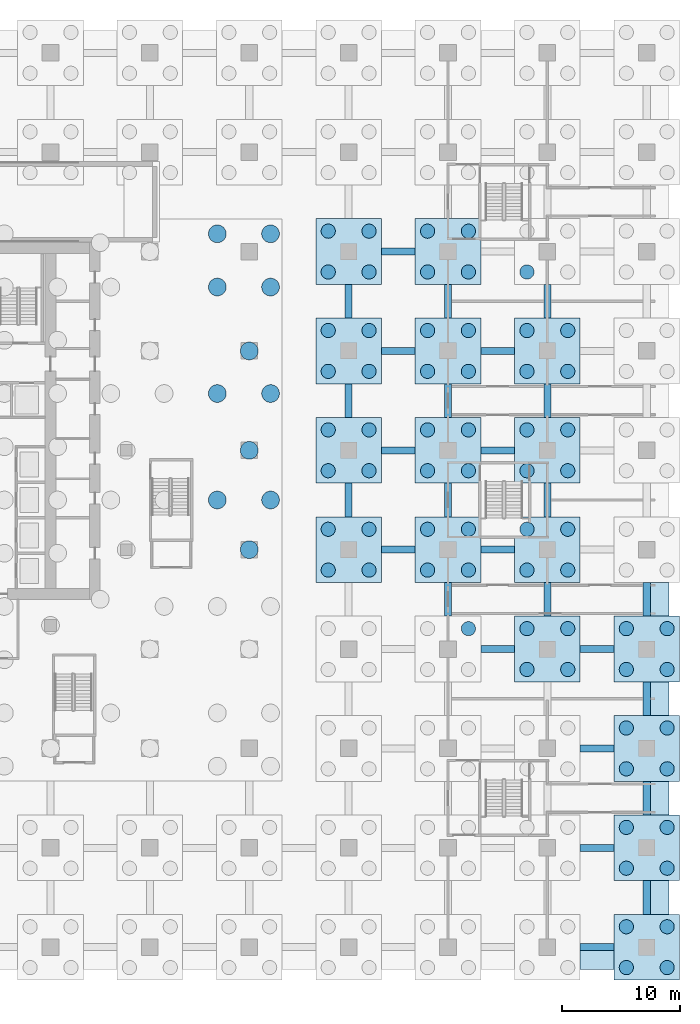
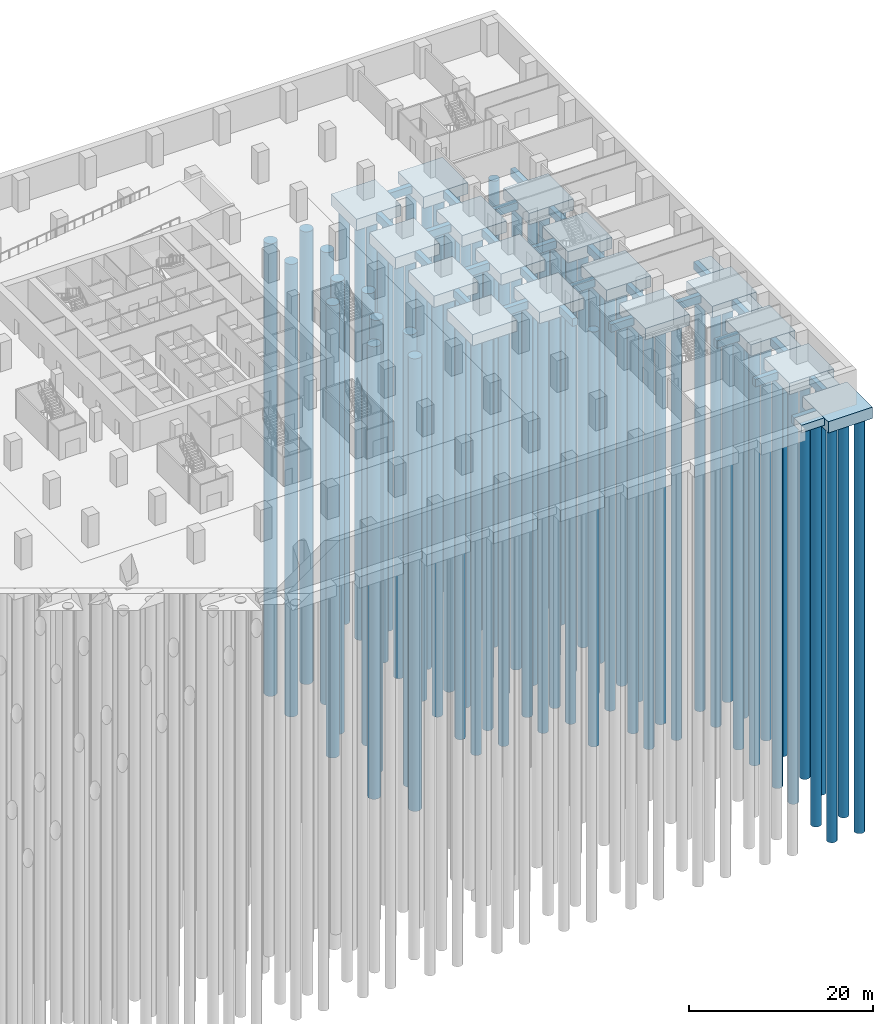
# One storey, part 4 of 22: 77 piles, 48 footings.
"""IFC4 building model written with IfcOpenShell, lengths in metres."""

from ifc_helpers import new_model, si_unit, direction, frame, origin, origin_2d, place, context, subcontext, project, spatial, polyline, circle, outline, extrude, material, layer, layer_set, type_object, element, save


model = new_model("IFC4")

# Units and contexts
model_context = context("Model", 3, precision=1e-05, world=origin(), true_north=direction((0.0, 1.0)))
body_context = subcontext(model_context, "Body", "Model", "MODEL_VIEW")
ifc_project = project(units=[si_unit("LENGTHUNIT", "METRE"), si_unit("AREAUNIT", "SQUARE_METRE"), si_unit("VOLUMEUNIT", "CUBIC_METRE"), si_unit("PLANEANGLEUNIT", "RADIAN"), si_unit("MASSUNIT", "GRAM", prefix="KILO")], contexts=[model_context])

# Site, building, storey
site_placement = place(None, origin())
site = spatial("IfcSite", under=ifc_project, at=site_placement, CompositionType="ELEMENT")
building_placement = place(site_placement, origin())
building = spatial("IfcBuilding", under=site, at=building_placement, Name="Vermilion Ogive Tower", CompositionType="ELEMENT")
storey_placement = place(building_placement, frame((0.0, 0.0, -8.39990234375)))
storey = spatial("IfcBuildingStorey", under=building, at=storey_placement, Name="B2", CompositionType="ELEMENT", Elevation=-8.39990234375)

# Piles
ifc_material_1 = material(Name="Concrete B45", Category="concrete")
pile_type_1 = type_object("IfcPileType", Name="Bored pile PC1 D1200", PredefinedType="BORED", material=ifc_material_1)
for number, where, z_axis, x_axis, name in (
    (1, (31.875, -5.925048828125, -1.900146484375), (0.0, 0.0, -1.0), (1.0, 0.0, 0.0), "Cap pile 052-1"),
    (2, (35.324951171875, -5.925048828125, -1.900146484375), (0.0, 0.0, -1.0), (1.0, 0.0, 0.0), "Cap pile 052-2"),
    (3, (31.875, -2.47509765625, -1.900146484375), (0.0, 0.0, -1.0), (1.0, 0.0, 0.0), "Cap pile 052-3"),
    (4, (35.324951171875, -2.47509765625, -1.900146484375), (0.0, 0.0, -1.0), (1.0, 0.0, 0.0), "Cap pile 052-4"),
    (5, (31.875, 2.47509765625, -1.900146484375), (0.0, 0.0, -1.0), (1.0, 0.0, 0.0), "Cap pile 053-1"),
    (6, (35.324951171875, 2.47509765625, -1.900146484375), (0.0, 0.0, -1.0), (1.0, 0.0, 0.0), "Cap pile 053-2"),
    (7, (31.875, 5.925048828125, -1.900146484375), (0.0, 0.0, -1.0), (1.0, 0.0, 0.0), "Cap pile 053-3"),
    (8, (35.324951171875, 5.925048828125, -1.900146484375), (0.0, 0.0, -1.0), (1.0, 0.0, 0.0), "Cap pile 053-4"),
    (9, (31.875, 10.875, -1.900146484375), (0.0, 0.0, -1.0), (1.0, 0.0, 0.0), "Cap pile 054-1"),
    (10, (35.324951171875, 10.875, -1.900146484375), (0.0, 0.0, -1.0), (1.0, 0.0, 0.0), "Cap pile 054-2"),
    (11, (31.875, 14.324951171875, -1.900146484375), (0.0, 0.0, -1.0), (1.0, 0.0, 0.0), "Cap pile 054-3"),
    (12, (35.324951171875, 14.324951171875, -1.900146484375), (0.0, 0.0, -1.0), (1.0, 0.0, 0.0), "Cap pile 054-4"),
    (13, (31.875, 19.27490234375, -1.900146484375), (0.0, 0.0, -1.0), (1.0, 0.0, 0.0), "Cap pile 055-1"),
    (14, (35.324951171875, 19.27490234375, -1.900146484375), (0.0, 0.0, -1.0), (1.0, 0.0, 0.0), "Cap pile 055-2"),
    (15, (31.875, 22.72509765625, -1.900146484375), (0.0, 0.0, -1.0), (1.0, 0.0, 0.0), "Cap pile 055-3"),
    (16, (35.324951171875, 22.72509765625, -1.900146484375), (0.0, 0.0, -1.0), (1.0, 0.0, 0.0), "Cap pile 055-4"),
    (17, (43.72509765625, -10.875, -1.900146484375), (0.0, 0.0, -1.0), (1.0, 0.0, 0.0), "Cap pile 061-4"),
    (18, (40.27490234375, -5.925048828125, -1.900146484375), (0.0, 0.0, -1.0), (1.0, 0.0, 0.0), "Cap pile 062-1"),
    (19, (43.72509765625, -5.925048828125, -1.900146484375), (0.0, 0.0, -1.0), (1.0, 0.0, 0.0), "Cap pile 062-2"),
    (20, (40.27490234375, -2.47509765625, -1.900146484375), (0.0, 0.0, -1.0), (1.0, 0.0, 0.0), "Cap pile 062-3"),
    (21, (43.72509765625, -2.47509765625, -1.900146484375), (0.0, 0.0, -1.0), (1.0, 0.0, 0.0), "Cap pile 062-4"),
    (22, (40.27490234375, 2.47509765625, -1.900146484375), (0.0, 0.0, -1.0), (1.0, 0.0, 0.0), "Cap pile 063-1"),
    (23, (43.72509765625, 2.47509765625, -1.900146484375), (0.0, 0.0, -1.0), (1.0, 0.0, 0.0), "Cap pile 063-2"),
    (24, (40.27490234375, 5.925048828125, -1.900146484375), (0.0, 0.0, -1.0), (1.0, 0.0, 0.0), "Cap pile 063-3"),
    (25, (43.72509765625, 5.925048828125, -1.900146484375), (0.0, 0.0, -1.0), (1.0, 0.0, 0.0), "Cap pile 063-4"),
    (26, (40.27490234375, 10.875, -1.900146484375), (0.0, 0.0, -1.0), (1.0, 0.0, 0.0), "Cap pile 064-1"),
    (27, (43.72509765625, 10.875, -1.900146484375), (0.0, 0.0, -1.0), (1.0, 0.0, 0.0), "Cap pile 064-2"),
    (28, (40.27490234375, 14.324951171875, -1.900146484375), (0.0, 0.0, -1.0), (1.0, 0.0, 0.0), "Cap pile 064-3"),
    (29, (43.72509765625, 14.324951171875, -1.900146484375), (0.0, 0.0, -1.0), (1.0, 0.0, 0.0), "Cap pile 064-4"),
    (30, (40.27490234375, 19.27490234375, -1.900146484375), (0.0, 0.0, -1.0), (1.0, 0.0, 0.0), "Cap pile 065-1"),
    (31, (43.72509765625, 19.27490234375, -1.900146484375), (0.0, 0.0, -1.0), (1.0, 0.0, 0.0), "Cap pile 065-2"),
    (32, (40.27490234375, 22.72509765625, -1.900146484375), (0.0, 0.0, -1.0), (1.0, 0.0, 0.0), "Cap pile 065-3"),
    (33, (43.72509765625, 22.72509765625, -1.900146484375), (0.0, 0.0, -1.0), (1.0, 0.0, 0.0), "Cap pile 065-4"),
    (34, (48.675048828125, -14.324951171875, -1.900146484375), (0.0, 0.0, -1.0), (1.0, 0.0, 0.0), "Cap pile 071-1"),
    (35, (52.125, -14.324951171875, -1.900146484375), (0.0, 0.0, -1.0), (1.0, 0.0, 0.0), "Cap pile 071-2"),
    (36, (48.675048828125, -10.875, -1.900146484375), (0.0, 0.0, -1.0), (1.0, 0.0, 0.0), "Cap pile 071-3"),
    (37, (52.125, -10.875, -1.900146484375), (0.0, 0.0, -1.0), (1.0, 0.0, 0.0), "Cap pile 071-4"),
    (38, (48.675048828125, -5.925048828125, -1.900146484375), (0.0, 0.0, -1.0), (1.0, 0.0, 0.0), "Cap pile 072-1"),
    (39, (52.125, -5.925048828125, -1.900146484375), (0.0, 0.0, -1.0), (1.0, 0.0, 0.0), "Cap pile 072-2"),
    (40, (48.675048828125, -2.47509765625, -1.900146484375), (0.0, 0.0, -1.0), (1.0, 0.0, 0.0), "Cap pile 072-3"),
    (41, (52.125, -2.47509765625, -1.900146484375), (0.0, 0.0, -1.0), (1.0, 0.0, 0.0), "Cap pile 072-4"),
    (42, (48.675048828125, 2.47509765625, -1.900146484375), (0.0, 0.0, -1.0), (1.0, 0.0, 0.0), "Cap pile 073-1"),
    (43, (52.125, 2.47509765625, -1.900146484375), (0.0, 0.0, -1.0), (1.0, 0.0, 0.0), "Cap pile 073-2"),
    (44, (48.675048828125, 5.925048828125, -1.900146484375), (0.0, 0.0, -1.0), (1.0, 0.0, 0.0), "Cap pile 073-3"),
    (45, (52.125, 5.925048828125, -1.900146484375), (0.0, 0.0, -1.0), (1.0, 0.0, 0.0), "Cap pile 073-4"),
    (46, (48.675048828125, 10.875, -1.900146484375), (0.0, 0.0, -1.0), (1.0, 0.0, 0.0), "Cap pile 074-1"),
    (47, (52.125, 10.875, -1.900146484375), (0.0, 0.0, -1.0), (1.0, 0.0, 0.0), "Cap pile 074-2"),
    (48, (48.675048828125, 14.324951171875, -1.900146484375), (0.0, 0.0, -1.0), (1.0, 0.0, 0.0), "Cap pile 074-3"),
    (49, (52.125, 14.324951171875, -1.900146484375), (0.0, 0.0, -1.0), (1.0, 0.0, 0.0), "Cap pile 074-4"),
    (50, (48.675048828125, 19.27490234375, -1.900146484375), (0.0, 0.0, -1.0), (1.0, 0.0, 0.0), "Cap pile 075-1"),
    (51, (57.074951171875, -39.52490234375, -1.900146484375), (0.0, 0.0, -1.0), (1.0, 0.0, 0.0), "Cap pile 078-1"),
    (52, (60.52490234375, -39.52490234375, -1.900146484375), (0.0, 0.0, -1.0), (1.0, 0.0, 0.0), "Cap pile 078-2"),
    (53, (57.074951171875, -36.074951171875, -1.900146484375), (0.0, 0.0, -1.0), (1.0, 0.0, 0.0), "Cap pile 078-3"),
    (54, (60.52490234375, -36.074951171875, -1.900146484375), (0.0, 0.0, -1.0), (1.0, 0.0, 0.0), "Cap pile 078-4"),
    (55, (57.074951171875, -31.125, -1.900146484375), (0.0, 0.0, -1.0), (1.0, 0.0, 0.0), "Cap pile 079-1"),
    (56, (60.52490234375, -31.125, -1.900146484375), (0.0, 0.0, -1.0), (1.0, 0.0, 0.0), "Cap pile 079-2"),
    (57, (57.074951171875, -27.675048828125, -1.900146484375), (0.0, 0.0, -1.0), (1.0, 0.0, 0.0), "Cap pile 079-3"),
    (58, (60.52490234375, -27.675048828125, -1.900146484375), (0.0, 0.0, -1.0), (1.0, 0.0, 0.0), "Cap pile 079-4"),
    (59, (57.074951171875, -22.72509765625, -1.900146484375), (0.0, 0.0, -1.0), (1.0, 0.0, 0.0), "Cap pile 080-1"),
    (60, (60.52490234375, -22.72509765625, -1.900146484375), (0.0, 0.0, -1.0), (1.0, 0.0, 0.0), "Cap pile 080-2"),
    (61, (57.074951171875, -19.27490234375, -1.900146484375), (0.0, 0.0, -1.0), (1.0, 0.0, 0.0), "Cap pile 080-3"),
    (62, (60.52490234375, -19.27490234375, -1.900146484375), (0.0, 0.0, -1.0), (1.0, 0.0, 0.0), "Cap pile 080-4"),
    (63, (57.074951171875, -14.324951171875, -1.900146484375), (0.0, 0.0, -1.0), (1.0, 0.0, 0.0), "Cap pile 081-1"),
    (64, (60.52490234375, -14.324951171875, -1.900146484375), (0.0, 0.0, -1.0), (1.0, 0.0, 0.0), "Cap pile 081-2"),
    (65, (57.074951171875, -10.875, -1.900146484375), (0.0, 0.0, -1.0), (1.0, 0.0, 0.0), "Cap pile 081-3"),
    (66, (60.52490234375, -10.875, -1.900146484375), (0.0, 0.0, -1.0), (1.0, 0.0, 0.0), "Cap pile 081-4"),
):
    element("IfcPile", number, at=place(storey_placement, frame(where, z_axis=z_axis, x_axis=x_axis)), inside=storey, type_object=pile_type_1, Name=name, PredefinedType="BORED", context=body_context, shape_type="SweptSolid", body=[
        extrude(circle(Radius=0.60009765625, at=origin_2d()), origin(), (0.0, 0.0, 1.0), 55.0),
    ])
ifc_material_2 = material(Name="Concrete B45", Category="concrete")
pile_type_2 = type_object("IfcPileType", Name="Bored pile PR1 D1500", PredefinedType="BORED", material=ifc_material_2)
for number, where, z_axis, x_axis, name in (
    (67, (22.5, 0.0, -2.900146484375), (0.0, 0.0, -1.0), (1.0, 0.0, 0.0), "Raft pile 099"),
    (68, (22.5, 9.0, -2.900146484375), (0.0, 0.0, -1.0), (1.0, 0.0, 0.0), "Raft pile 100"),
    (69, (22.5, 18.0, -2.900146484375), (0.0, 0.0, -1.0), (1.0, 0.0, 0.0), "Raft pile 101"),
    (70, (22.5, 22.5, -2.900146484375), (0.0, 0.0, -1.0), (1.0, 0.0, 0.0), "Raft pile 102"),
    (71, (25.199951171875, -4.199951171875, -2.900146484375), (0.0, 0.0, -1.0), (1.0, 0.0, 0.0), "Raft pile 104"),
    (72, (25.199951171875, 4.199951171875, -2.900146484375), (0.0, 0.0, -1.0), (1.0, 0.0, 0.0), "Raft pile 105"),
    (73, (25.199951171875, 12.60009765625, -2.900146484375), (0.0, 0.0, -1.0), (1.0, 0.0, 0.0), "Raft pile 106"),
    (74, (27.0, 0.0, -2.900146484375), (0.0, 0.0, -1.0), (1.0, 0.0, 0.0), "Raft pile 110"),
    (75, (27.0, 9.0, -2.900146484375), (0.0, 0.0, -1.0), (1.0, 0.0, 0.0), "Raft pile 111"),
    (76, (27.0, 18.0, -2.900146484375), (0.0, 0.0, -1.0), (1.0, 0.0, 0.0), "Raft pile 112"),
    (77, (27.0, 22.5, -2.900146484375), (0.0, 0.0, -1.0), (1.0, 0.0, 0.0), "Raft pile 113"),
):
    element("IfcPile", number, at=place(storey_placement, frame(where, z_axis=z_axis, x_axis=x_axis)), inside=storey, type_object=pile_type_2, Name=name, PredefinedType="BORED", context=body_context, shape_type="SweptSolid", body=[
        extrude(circle(Radius=0.75, at=origin_2d()), origin(), (0.0, 0.0, 1.0), 60.0),
    ])

# Footings
ifc_material_3 = material(Name="Concrete B50", Category="concrete")
footing_type_1 = type_object("IfcFootingType", Name="Ground beam GB1", PredefinedType="FOOTING_BEAM", material=ifc_material_3)
footing_1_placement = place(storey_placement, frame((0.0, 0.0, -1.5)))
element("IfcFooting", 78, at=footing_1_placement, inside=storey, type_object=footing_type_1, Name="Ground beam 096", PredefinedType="FOOTING_BEAM", context=body_context, shape_type="SweptSolid", body=[
    extrude(outline(polyline([(39.22509765625, -4.5), (39.22509765625, -3.89990234375), (36.375, -3.89990234375), (36.375, -4.5), (39.22509765625, -4.5)])), origin(), (0.0, 0.0, 1.0), 1.0),
])
footing_2_placement = place(storey_placement, frame((0.0, 0.0, -1.5)))
element("IfcFooting", 79, at=footing_2_placement, inside=storey, type_object=footing_type_1, Name="Ground beam 097", PredefinedType="FOOTING_BEAM", context=body_context, shape_type="SweptSolid", body=[
    extrude(outline(polyline([(33.89990234375, -1.425048828125), (33.89990234375, 1.425048828125), (33.300048828125, 1.425048828125), (33.300048828125, -1.425048828125), (33.89990234375, -1.425048828125)])), origin(), (0.0, 0.0, 1.0), 1.0),
])
footing_3_placement = place(storey_placement, frame((0.0, 0.0, -1.5)))
element("IfcFooting", 80, at=footing_3_placement, inside=storey, type_object=footing_type_1, Name="Ground beam 098", PredefinedType="FOOTING_BEAM", context=body_context, shape_type="SweptSolid", body=[
    extrude(outline(polyline([(39.22509765625, 3.89990234375), (39.22509765625, 4.5), (36.375, 4.5), (36.375, 3.89990234375), (39.22509765625, 3.89990234375)])), origin(), (0.0, 0.0, 1.0), 1.0),
])
footing_4_placement = place(storey_placement, frame((0.0, 0.0, -1.5)))
element("IfcFooting", 81, at=footing_4_placement, inside=storey, type_object=footing_type_1, Name="Ground beam 099", PredefinedType="FOOTING_BEAM", context=body_context, shape_type="SweptSolid", body=[
    extrude(outline(polyline([(33.89990234375, 6.97509765625), (33.89990234375, 9.824951171875), (33.300048828125, 9.824951171875), (33.300048828125, 6.97509765625), (33.89990234375, 6.97509765625)])), origin(), (0.0, 0.0, 1.0), 1.0),
])
footing_5_placement = place(storey_placement, frame((0.0, 0.0, -1.5)))
element("IfcFooting", 82, at=footing_5_placement, inside=storey, type_object=footing_type_1, Name="Ground beam 100", PredefinedType="FOOTING_BEAM", context=body_context, shape_type="SweptSolid", body=[
    extrude(outline(polyline([(39.22509765625, 12.300048828125), (39.22509765625, 12.89990234375), (36.375, 12.89990234375), (36.375, 12.300048828125), (39.22509765625, 12.300048828125)])), origin(), (0.0, 0.0, 1.0), 1.0),
])
footing_6_placement = place(storey_placement, frame((0.0, 0.0, -1.5)))
element("IfcFooting", 83, at=footing_6_placement, inside=storey, type_object=footing_type_1, Name="Ground beam 101", PredefinedType="FOOTING_BEAM", context=body_context, shape_type="SweptSolid", body=[
    extrude(outline(polyline([(33.89990234375, 15.375), (33.89990234375, 18.22509765625), (33.300048828125, 18.22509765625), (33.300048828125, 15.375), (33.89990234375, 15.375)])), origin(), (0.0, 0.0, 1.0), 1.0),
])
footing_7_placement = place(storey_placement, frame((0.0, 0.0, -1.5)))
element("IfcFooting", 84, at=footing_7_placement, inside=storey, type_object=footing_type_1, Name="Ground beam 102", PredefinedType="FOOTING_BEAM", context=body_context, shape_type="SweptSolid", body=[
    extrude(outline(polyline([(39.22509765625, 20.699951171875), (39.22509765625, 21.300048828125), (36.375, 21.300048828125), (36.375, 20.699951171875), (39.22509765625, 20.699951171875)])), origin(), (0.0, 0.0, 1.0), 1.0),
])
footing_8_placement = place(storey_placement, frame((0.0, 0.0, -1.5)))
element("IfcFooting", 85, at=footing_8_placement, inside=storey, type_object=footing_type_1, Name="Ground beam 113", PredefinedType="FOOTING_BEAM", context=body_context, shape_type="SweptSolid", body=[
    extrude(outline(polyline([(47.625, -12.89990234375), (47.625, -12.300048828125), (44.77490234375, -12.300048828125), (44.77490234375, -12.89990234375), (47.625, -12.89990234375)])), origin(), (0.0, 0.0, 1.0), 1.0),
])
footing_9_placement = place(storey_placement, frame((0.0, 0.0, -1.5)))
element("IfcFooting", 86, at=footing_9_placement, inside=storey, type_object=footing_type_1, Name="Ground beam 114", PredefinedType="FOOTING_BEAM", context=body_context, shape_type="SweptSolid", body=[
    extrude(outline(polyline([(42.300048828125, -9.824951171875), (42.300048828125, -6.97509765625), (41.699951171875, -6.97509765625), (41.699951171875, -9.824951171875), (42.300048828125, -9.824951171875)])), origin(), (0.0, 0.0, 1.0), 1.0),
])
footing_10_placement = place(storey_placement, frame((0.0, 0.0, -1.5)))
element("IfcFooting", 87, at=footing_10_placement, inside=storey, type_object=footing_type_1, Name="Ground beam 115", PredefinedType="FOOTING_BEAM", context=body_context, shape_type="SweptSolid", body=[
    extrude(outline(polyline([(47.625, -4.5), (47.625, -3.89990234375), (44.77490234375, -3.89990234375), (44.77490234375, -4.5), (47.625, -4.5)])), origin(), (0.0, 0.0, 1.0), 1.0),
])
footing_11_placement = place(storey_placement, frame((0.0, 0.0, -1.5)))
element("IfcFooting", 88, at=footing_11_placement, inside=storey, type_object=footing_type_1, Name="Ground beam 116", PredefinedType="FOOTING_BEAM", context=body_context, shape_type="SweptSolid", body=[
    extrude(outline(polyline([(42.300048828125, -1.425048828125), (42.300048828125, 1.425048828125), (41.699951171875, 1.425048828125), (41.699951171875, -1.425048828125), (42.300048828125, -1.425048828125)])), origin(), (0.0, 0.0, 1.0), 1.0),
])
footing_12_placement = place(storey_placement, frame((0.0, 0.0, -1.5)))
element("IfcFooting", 89, at=footing_12_placement, inside=storey, type_object=footing_type_1, Name="Ground beam 117", PredefinedType="FOOTING_BEAM", context=body_context, shape_type="SweptSolid", body=[
    extrude(outline(polyline([(47.625, 3.89990234375), (47.625, 4.5), (44.77490234375, 4.5), (44.77490234375, 3.89990234375), (47.625, 3.89990234375)])), origin(), (0.0, 0.0, 1.0), 1.0),
])
footing_13_placement = place(storey_placement, frame((0.0, 0.0, -1.5)))
element("IfcFooting", 90, at=footing_13_placement, inside=storey, type_object=footing_type_1, Name="Ground beam 118", PredefinedType="FOOTING_BEAM", context=body_context, shape_type="SweptSolid", body=[
    extrude(outline(polyline([(42.300048828125, 6.97509765625), (42.300048828125, 9.824951171875), (41.699951171875, 9.824951171875), (41.699951171875, 6.97509765625), (42.300048828125, 6.97509765625)])), origin(), (0.0, 0.0, 1.0), 1.0),
])
footing_14_placement = place(storey_placement, frame((0.0, 0.0, -1.5)))
element("IfcFooting", 91, at=footing_14_placement, inside=storey, type_object=footing_type_1, Name="Ground beam 119", PredefinedType="FOOTING_BEAM", context=body_context, shape_type="SweptSolid", body=[
    extrude(outline(polyline([(47.625, 12.300048828125), (47.625, 12.89990234375), (44.77490234375, 12.89990234375), (44.77490234375, 12.300048828125), (47.625, 12.300048828125)])), origin(), (0.0, 0.0, 1.0), 1.0),
])
footing_15_placement = place(storey_placement, frame((0.0, 0.0, -1.5)))
element("IfcFooting", 92, at=footing_15_placement, inside=storey, type_object=footing_type_1, Name="Ground beam 120", PredefinedType="FOOTING_BEAM", context=body_context, shape_type="SweptSolid", body=[
    extrude(outline(polyline([(42.300048828125, 15.375), (42.300048828125, 18.22509765625), (41.699951171875, 18.22509765625), (41.699951171875, 15.375), (42.300048828125, 15.375)])), origin(), (0.0, 0.0, 1.0), 1.0),
])
footing_16_placement = place(storey_placement, frame((0.0, 0.0, -1.5)))
element("IfcFooting", 93, at=footing_16_placement, inside=storey, type_object=footing_type_1, Name="Ground beam 126", PredefinedType="FOOTING_BEAM", context=body_context, shape_type="SweptSolid", body=[
    extrude(outline(polyline([(56.02490234375, -38.10009765625), (56.02490234375, -37.5), (53.175048828125, -37.5), (53.175048828125, -38.10009765625), (56.02490234375, -38.10009765625)])), origin(), (0.0, 0.0, 1.0), 1.0),
])
footing_17_placement = place(storey_placement, frame((0.0, 0.0, -1.5)))
element("IfcFooting", 94, at=footing_17_placement, inside=storey, type_object=footing_type_1, Name="Ground beam 128", PredefinedType="FOOTING_BEAM", context=body_context, shape_type="SweptSolid", body=[
    extrude(outline(polyline([(56.02490234375, -29.699951171875), (56.02490234375, -29.10009765625), (53.175048828125, -29.10009765625), (53.175048828125, -29.699951171875), (56.02490234375, -29.699951171875)])), origin(), (0.0, 0.0, 1.0), 1.0),
])
footing_18_placement = place(storey_placement, frame((0.0, 0.0, -1.5)))
element("IfcFooting", 95, at=footing_18_placement, inside=storey, type_object=footing_type_1, Name="Ground beam 130", PredefinedType="FOOTING_BEAM", context=body_context, shape_type="SweptSolid", body=[
    extrude(outline(polyline([(56.02490234375, -21.300048828125), (56.02490234375, -20.699951171875), (53.175048828125, -20.699951171875), (53.175048828125, -21.300048828125), (56.02490234375, -21.300048828125)])), origin(), (0.0, 0.0, 1.0), 1.0),
])
footing_19_placement = place(storey_placement, frame((0.0, 0.0, -1.5)))
element("IfcFooting", 96, at=footing_19_placement, inside=storey, type_object=footing_type_1, Name="Ground beam 132", PredefinedType="FOOTING_BEAM", context=body_context, shape_type="SweptSolid", body=[
    extrude(outline(polyline([(56.02490234375, -12.89990234375), (56.02490234375, -12.300048828125), (53.175048828125, -12.300048828125), (53.175048828125, -12.89990234375), (56.02490234375, -12.89990234375)])), origin(), (0.0, 0.0, 1.0), 1.0),
])
footing_20_placement = place(storey_placement, frame((0.0, 0.0, -1.5)))
element("IfcFooting", 97, at=footing_20_placement, inside=storey, type_object=footing_type_1, Name="Ground beam 133", PredefinedType="FOOTING_BEAM", context=body_context, shape_type="SweptSolid", body=[
    extrude(outline(polyline([(50.699951171875, -9.824951171875), (50.699951171875, -6.97509765625), (50.10009765625, -6.97509765625), (50.10009765625, -9.824951171875), (50.699951171875, -9.824951171875)])), origin(), (0.0, 0.0, 1.0), 1.0),
])
footing_21_placement = place(storey_placement, frame((0.0, 0.0, -1.5)))
element("IfcFooting", 98, at=footing_21_placement, inside=storey, type_object=footing_type_1, Name="Ground beam 135", PredefinedType="FOOTING_BEAM", context=body_context, shape_type="SweptSolid", body=[
    extrude(outline(polyline([(50.699951171875, -1.425048828125), (50.699951171875, 1.425048828125), (50.10009765625, 1.425048828125), (50.10009765625, -1.425048828125), (50.699951171875, -1.425048828125)])), origin(), (0.0, 0.0, 1.0), 1.0),
])
footing_22_placement = place(storey_placement, frame((0.0, 0.0, -1.5)))
element("IfcFooting", 99, at=footing_22_placement, inside=storey, type_object=footing_type_1, Name="Ground beam 137", PredefinedType="FOOTING_BEAM", context=body_context, shape_type="SweptSolid", body=[
    extrude(outline(polyline([(50.699951171875, 6.97509765625), (50.699951171875, 9.824951171875), (50.10009765625, 9.824951171875), (50.10009765625, 6.97509765625), (50.699951171875, 6.97509765625)])), origin(), (0.0, 0.0, 1.0), 1.0),
])
footing_23_placement = place(storey_placement, frame((0.0, 0.0, -1.5)))
element("IfcFooting", 100, at=footing_23_placement, inside=storey, type_object=footing_type_1, Name="Ground beam 139", PredefinedType="FOOTING_BEAM", context=body_context, shape_type="SweptSolid", body=[
    extrude(outline(polyline([(50.699951171875, 15.375), (50.699951171875, 18.22509765625), (50.10009765625, 18.22509765625), (50.10009765625, 15.375), (50.699951171875, 15.375)])), origin(), (0.0, 0.0, 1.0), 1.0),
])
footing_24_placement = place(storey_placement, frame((0.0, 0.0, -1.5)))
element("IfcFooting", 101, at=footing_24_placement, inside=storey, type_object=footing_type_1, Name="Ground beam 145", PredefinedType="FOOTING_BEAM", context=body_context, shape_type="SweptSolid", body=[
    extrude(outline(polyline([(59.10009765625, -35.02490234375), (59.10009765625, -32.175048828125), (58.5, -32.175048828125), (58.5, -35.02490234375), (59.10009765625, -35.02490234375)])), origin(), (0.0, 0.0, 1.0), 1.0),
])
footing_25_placement = place(storey_placement, frame((0.0, 0.0, -1.5)))
element("IfcFooting", 102, at=footing_25_placement, inside=storey, type_object=footing_type_1, Name="Ground beam 146", PredefinedType="FOOTING_BEAM", context=body_context, shape_type="SweptSolid", body=[
    extrude(outline(polyline([(59.10009765625, -26.625), (59.10009765625, -23.77490234375), (58.5, -23.77490234375), (58.5, -26.625), (59.10009765625, -26.625)])), origin(), (0.0, 0.0, 1.0), 1.0),
])
footing_26_placement = place(storey_placement, frame((0.0, 0.0, -1.5)))
element("IfcFooting", 103, at=footing_26_placement, inside=storey, type_object=footing_type_1, Name="Ground beam 147", PredefinedType="FOOTING_BEAM", context=body_context, shape_type="SweptSolid", body=[
    extrude(outline(polyline([(59.10009765625, -18.22509765625), (59.10009765625, -15.375), (58.5, -15.375), (58.5, -18.22509765625), (59.10009765625, -18.22509765625)])), origin(), (0.0, 0.0, 1.0), 1.0),
])
footing_27_placement = place(storey_placement, frame((0.0, 0.0, -1.5)))
element("IfcFooting", 104, at=footing_27_placement, inside=storey, type_object=footing_type_1, Name="Ground beam 148", PredefinedType="FOOTING_BEAM", context=body_context, shape_type="SweptSolid", body=[
    extrude(outline(polyline([(59.10009765625, -9.824951171875), (59.10009765625, -6.97509765625), (58.5, -6.97509765625), (58.5, -9.824951171875), (59.10009765625, -9.824951171875)])), origin(), (0.0, 0.0, 1.0), 1.0),
])
ifc_material_4 = material(Name="Concrete B50", Category="concrete")
ifc_layer_1 = layer(ifc_material_4, 1.5)
ifc_layer_set_1 = layer_set([ifc_layer_1], Name="Pile cap PC1")
footing_type_2 = type_object("IfcFootingType", Name="Pile cap PC1", PredefinedType="PILE_CAP", material=ifc_layer_set_1)
footing_28_placement = place(storey_placement, frame((0.0, 0.0, -2.0)))
element("IfcFooting", 105, at=footing_28_placement, inside=storey, type_object=footing_type_2, Name="Pile cap 052", PredefinedType="PILE_CAP", context=body_context, shape_type="SweptSolid", body=[
    extrude(outline(polyline([(30.824951171875, -6.97509765625), (36.375, -6.97509765625), (36.375, -1.425048828125), (30.824951171875, -1.425048828125), (30.824951171875, -6.97509765625)])), origin(), (0.0, 0.0, 1.0), 1.5),
])
footing_29_placement = place(storey_placement, frame((0.0, 0.0, -2.0)))
element("IfcFooting", 106, at=footing_29_placement, inside=storey, type_object=footing_type_2, Name="Pile cap 053", PredefinedType="PILE_CAP", context=body_context, shape_type="SweptSolid", body=[
    extrude(outline(polyline([(30.824951171875, 1.425048828125), (36.375, 1.425048828125), (36.375, 6.97509765625), (30.824951171875, 6.97509765625), (30.824951171875, 1.425048828125)])), origin(), (0.0, 0.0, 1.0), 1.5),
])
footing_30_placement = place(storey_placement, frame((0.0, 0.0, -2.0)))
element("IfcFooting", 107, at=footing_30_placement, inside=storey, type_object=footing_type_2, Name="Pile cap 054", PredefinedType="PILE_CAP", context=body_context, shape_type="SweptSolid", body=[
    extrude(outline(polyline([(30.824951171875, 9.824951171875), (36.375, 9.824951171875), (36.375, 15.375), (30.824951171875, 15.375), (30.824951171875, 9.824951171875)])), origin(), (0.0, 0.0, 1.0), 1.5),
])
footing_31_placement = place(storey_placement, frame((0.0, 0.0, -2.0)))
element("IfcFooting", 108, at=footing_31_placement, inside=storey, type_object=footing_type_2, Name="Pile cap 055", PredefinedType="PILE_CAP", context=body_context, shape_type="SweptSolid", body=[
    extrude(outline(polyline([(30.824951171875, 18.22509765625), (36.375, 18.22509765625), (36.375, 23.77490234375), (30.824951171875, 23.77490234375), (30.824951171875, 18.22509765625)])), origin(), (0.0, 0.0, 1.0), 1.5),
])
footing_32_placement = place(storey_placement, frame((0.0, 0.0, -2.0)))
element("IfcFooting", 109, at=footing_32_placement, inside=storey, type_object=footing_type_2, Name="Pile cap 062", PredefinedType="PILE_CAP", context=body_context, shape_type="SweptSolid", body=[
    extrude(outline(polyline([(39.22509765625, -6.97509765625), (44.77490234375, -6.97509765625), (44.77490234375, -1.425048828125), (39.22509765625, -1.425048828125), (39.22509765625, -6.97509765625)])), origin(), (0.0, 0.0, 1.0), 1.5),
])
footing_33_placement = place(storey_placement, frame((0.0, 0.0, -2.0)))
element("IfcFooting", 110, at=footing_33_placement, inside=storey, type_object=footing_type_2, Name="Pile cap 063", PredefinedType="PILE_CAP", context=body_context, shape_type="SweptSolid", body=[
    extrude(outline(polyline([(39.22509765625, 1.425048828125), (44.77490234375, 1.425048828125), (44.77490234375, 6.97509765625), (39.22509765625, 6.97509765625), (39.22509765625, 1.425048828125)])), origin(), (0.0, 0.0, 1.0), 1.5),
])
footing_34_placement = place(storey_placement, frame((0.0, 0.0, -2.0)))
element("IfcFooting", 111, at=footing_34_placement, inside=storey, type_object=footing_type_2, Name="Pile cap 064", PredefinedType="PILE_CAP", context=body_context, shape_type="SweptSolid", body=[
    extrude(outline(polyline([(39.22509765625, 9.824951171875), (44.77490234375, 9.824951171875), (44.77490234375, 15.375), (39.22509765625, 15.375), (39.22509765625, 9.824951171875)])), origin(), (0.0, 0.0, 1.0), 1.5),
])
footing_35_placement = place(storey_placement, frame((0.0, 0.0, -2.0)))
element("IfcFooting", 112, at=footing_35_placement, inside=storey, type_object=footing_type_2, Name="Pile cap 065", PredefinedType="PILE_CAP", context=body_context, shape_type="SweptSolid", body=[
    extrude(outline(polyline([(39.22509765625, 18.22509765625), (44.77490234375, 18.22509765625), (44.77490234375, 23.77490234375), (39.22509765625, 23.77490234375), (39.22509765625, 18.22509765625)])), origin(), (0.0, 0.0, 1.0), 1.5),
])
footing_36_placement = place(storey_placement, frame((0.0, 0.0, -2.0)))
element("IfcFooting", 113, at=footing_36_placement, inside=storey, type_object=footing_type_2, Name="Pile cap 071", PredefinedType="PILE_CAP", context=body_context, shape_type="SweptSolid", body=[
    extrude(outline(polyline([(47.625, -15.375), (53.175048828125, -15.375), (53.175048828125, -9.824951171875), (47.625, -9.824951171875), (47.625, -15.375)])), origin(), (0.0, 0.0, 1.0), 1.5),
])
footing_37_placement = place(storey_placement, frame((0.0, 0.0, -2.0)))
element("IfcFooting", 114, at=footing_37_placement, inside=storey, type_object=footing_type_2, Name="Pile cap 072", PredefinedType="PILE_CAP", context=body_context, shape_type="SweptSolid", body=[
    extrude(outline(polyline([(47.625, -6.97509765625), (53.175048828125, -6.97509765625), (53.175048828125, -1.425048828125), (47.625, -1.425048828125), (47.625, -6.97509765625)])), origin(), (0.0, 0.0, 1.0), 1.5),
])
footing_38_placement = place(storey_placement, frame((0.0, 0.0, -2.0)))
element("IfcFooting", 115, at=footing_38_placement, inside=storey, type_object=footing_type_2, Name="Pile cap 073", PredefinedType="PILE_CAP", context=body_context, shape_type="SweptSolid", body=[
    extrude(outline(polyline([(47.625, 1.425048828125), (53.175048828125, 1.425048828125), (53.175048828125, 6.97509765625), (47.625, 6.97509765625), (47.625, 1.425048828125)])), origin(), (0.0, 0.0, 1.0), 1.5),
])
footing_39_placement = place(storey_placement, frame((0.0, 0.0, -2.0)))
element("IfcFooting", 116, at=footing_39_placement, inside=storey, type_object=footing_type_2, Name="Pile cap 074", PredefinedType="PILE_CAP", context=body_context, shape_type="SweptSolid", body=[
    extrude(outline(polyline([(47.625, 9.824951171875), (53.175048828125, 9.824951171875), (53.175048828125, 15.375), (47.625, 15.375), (47.625, 9.824951171875)])), origin(), (0.0, 0.0, 1.0), 1.5),
])
footing_40_placement = place(storey_placement, frame((0.0, 0.0, -2.0)))
element("IfcFooting", 117, at=footing_40_placement, inside=storey, type_object=footing_type_2, Name="Pile cap 078", PredefinedType="PILE_CAP", context=body_context, shape_type="SweptSolid", body=[
    extrude(outline(polyline([(56.02490234375, -40.574951171875), (61.574951171875, -40.574951171875), (61.574951171875, -35.02490234375), (56.02490234375, -35.02490234375), (56.02490234375, -40.574951171875)])), origin(), (0.0, 0.0, 1.0), 1.5),
])
footing_41_placement = place(storey_placement, frame((0.0, 0.0, -2.0)))
element("IfcFooting", 118, at=footing_41_placement, inside=storey, type_object=footing_type_2, Name="Pile cap 079", PredefinedType="PILE_CAP", context=body_context, shape_type="SweptSolid", body=[
    extrude(outline(polyline([(56.02490234375, -32.175048828125), (61.574951171875, -32.175048828125), (61.574951171875, -26.625), (56.02490234375, -26.625), (56.02490234375, -32.175048828125)])), origin(), (0.0, 0.0, 1.0), 1.5),
])
footing_42_placement = place(storey_placement, frame((0.0, 0.0, -2.0)))
element("IfcFooting", 119, at=footing_42_placement, inside=storey, type_object=footing_type_2, Name="Pile cap 080", PredefinedType="PILE_CAP", context=body_context, shape_type="SweptSolid", body=[
    extrude(outline(polyline([(56.02490234375, -23.77490234375), (61.574951171875, -23.77490234375), (61.574951171875, -18.22509765625), (56.02490234375, -18.22509765625), (56.02490234375, -23.77490234375)])), origin(), (0.0, 0.0, 1.0), 1.5),
])
footing_43_placement = place(storey_placement, frame((0.0, 0.0, -2.0)))
element("IfcFooting", 120, at=footing_43_placement, inside=storey, type_object=footing_type_2, Name="Pile cap 081", PredefinedType="PILE_CAP", context=body_context, shape_type="SweptSolid", body=[
    extrude(outline(polyline([(56.02490234375, -15.375), (61.574951171875, -15.375), (61.574951171875, -9.824951171875), (56.02490234375, -9.824951171875), (56.02490234375, -15.375)])), origin(), (0.0, 0.0, 1.0), 1.5),
])
ifc_material_5 = material(Name="Concrete B50", Category="concrete")
ifc_layer_2 = layer(ifc_material_5, 1.0)
ifc_layer_set_2 = layer_set([ifc_layer_2], Name="Wall footing WF1")
footing_type_3 = type_object("IfcFootingType", Name="Wall footing WF1", PredefinedType="STRIP_FOOTING", material=ifc_layer_set_2)
footing_44_placement = place(storey_placement, frame((0.0, 0.0, -1.5)))
element("IfcFooting", 121, at=footing_44_placement, inside=storey, type_object=footing_type_3, Name="Wall footing 027", PredefinedType="STRIP_FOOTING", context=body_context, shape_type="SweptSolid", body=[
    extrude(outline(polyline([(59.10009765625, -9.824951171875), (60.699951171875, -9.824951171875), (60.699951171875, -6.97509765625), (59.10009765625, -6.97509765625), (59.10009765625, -9.824951171875)])), origin(), (0.0, 0.0, 1.0), 1.0),
])
footing_45_placement = place(storey_placement, frame((0.0, 0.0, -1.5)))
element("IfcFooting", 122, at=footing_45_placement, inside=storey, type_object=footing_type_3, Name="Wall footing 028", PredefinedType="STRIP_FOOTING", context=body_context, shape_type="SweptSolid", body=[
    extrude(outline(polyline([(59.10009765625, -18.22509765625), (60.699951171875, -18.22509765625), (60.699951171875, -15.375), (59.10009765625, -15.375), (59.10009765625, -18.22509765625)])), origin(), (0.0, 0.0, 1.0), 1.0),
])
footing_46_placement = place(storey_placement, frame((0.0, 0.0, -1.5)))
element("IfcFooting", 123, at=footing_46_placement, inside=storey, type_object=footing_type_3, Name="Wall footing 029", PredefinedType="STRIP_FOOTING", context=body_context, shape_type="SweptSolid", body=[
    extrude(outline(polyline([(59.10009765625, -26.625), (60.699951171875, -26.625), (60.699951171875, -23.77490234375), (59.10009765625, -23.77490234375), (59.10009765625, -26.625)])), origin(), (0.0, 0.0, 1.0), 1.0),
])
footing_47_placement = place(storey_placement, frame((0.0, 0.0, -1.5)))
element("IfcFooting", 124, at=footing_47_placement, inside=storey, type_object=footing_type_3, Name="Wall footing 030", PredefinedType="STRIP_FOOTING", context=body_context, shape_type="SweptSolid", body=[
    extrude(outline(polyline([(59.10009765625, -35.02490234375), (60.699951171875, -35.02490234375), (60.699951171875, -32.175048828125), (59.10009765625, -32.175048828125), (59.10009765625, -35.02490234375)])), origin(), (0.0, 0.0, 1.0), 1.0),
])
footing_48_placement = place(storey_placement, frame((0.0, 0.0, -1.5)))
element("IfcFooting", 125, at=footing_48_placement, inside=storey, type_object=footing_type_3, Name="Wall footing 031", PredefinedType="STRIP_FOOTING", context=body_context, shape_type="SweptSolid", body=[
    extrude(outline(polyline([(53.175048828125, -38.10009765625), (53.175048828125, -39.699951171875), (56.02490234375, -39.699951171875), (56.02490234375, -38.10009765625), (53.175048828125, -38.10009765625)])), origin(), (0.0, 0.0, 1.0), 1.0),
])

save(model, "model.ifc")
